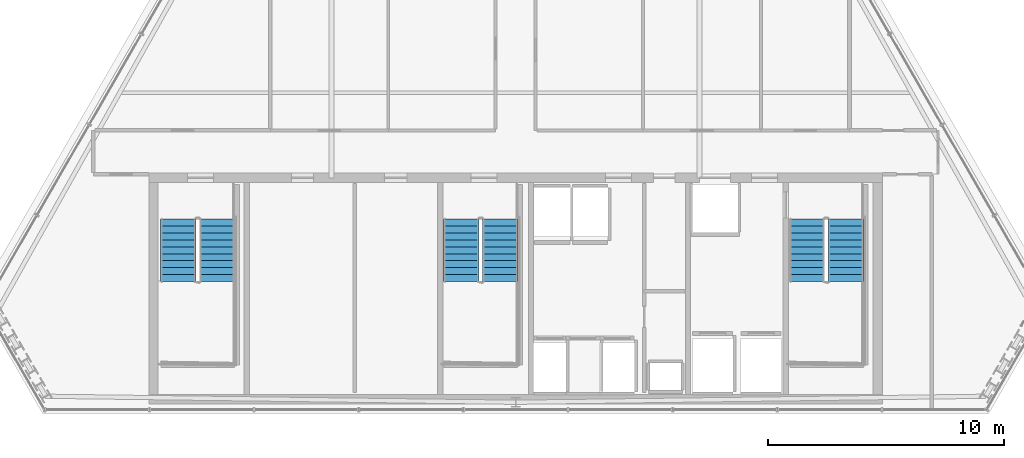
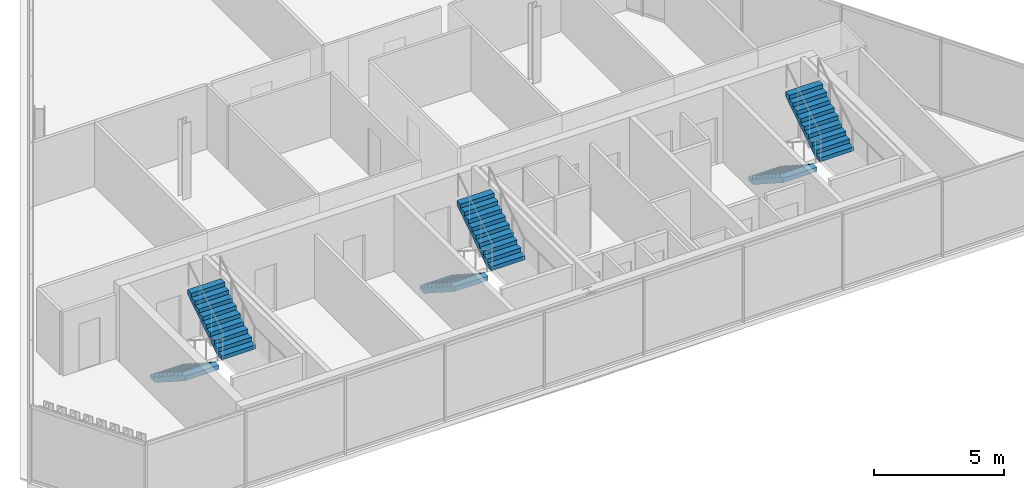
# One storey, part 32 of 35: 6 stair flights, 3 elements without a shape of their own.
"""IFC4 building model written with IfcOpenShell, lengths in metres."""

from ifc_helpers import new_model, si_unit, direction, frame, origin, place, context, subcontext, project, spatial, polyline, outline, extrude, material, type_object, element, aggregate, save


model = new_model("IFC4")

# Units and contexts
model_context = context("Model", 3, precision=1e-05, world=origin(), true_north=direction((0.0, 1.0)))
body_context = subcontext(model_context, "Body", "Model", "MODEL_VIEW")
ifc_project = project(units=[si_unit("LENGTHUNIT", "METRE"), si_unit("AREAUNIT", "SQUARE_METRE"), si_unit("VOLUMEUNIT", "CUBIC_METRE"), si_unit("PLANEANGLEUNIT", "RADIAN"), si_unit("MASSUNIT", "GRAM", prefix="KILO")], contexts=[model_context])

# Site, building, storey
site_placement = place(None, origin())
site = spatial("IfcSite", under=ifc_project, at=site_placement, CompositionType="ELEMENT")
building_placement = place(site_placement, origin())
building = spatial("IfcBuilding", under=site, at=building_placement, Name="Ndaravel Arena Tower", CompositionType="ELEMENT")
storey_placement = place(building_placement, frame((0.0, 0.0, 271.199951171875)))
storey = spatial("IfcBuildingStorey", under=building, at=storey_placement, Name="L66", CompositionType="ELEMENT", Elevation=271.199951171875)

# Stair, stair flights
ifc_material_1 = material(Name="Concrete C40/50", Category="concrete")
stair_type = type_object("IfcStairType", Name="STAIR-CORE-HT", PredefinedType="HALF_TURN_STAIR", material=ifc_material_1)
stair_1_placement = place(storey_placement, origin())
stair_1 = element("IfcStair", 1, at=stair_1_placement, inside=storey, type_object=stair_type, Name="L66 ST-1", PredefinedType="HALF_TURN_STAIR")
ifc_material_2 = material(Name="Concrete C40/50", Category="concrete")
stair_flight_type = type_object("IfcStairFlightType", Name="SFLIGHT-CORE-1680", PredefinedType="STRAIGHT", material=ifc_material_2)
stair_flight_1_placement = place(storey_placement, frame((27.699951171875, 13.25, 0.0), z_axis=(0.0, 0.0, 1.0), x_axis=(0.0, -1.0, 0.0)))
stair_flight_1 = element("IfcStairFlight", 2, at=stair_flight_1_placement, type_object=stair_flight_type, Name="ST-1 flight 1", NumberOfRisers=10, NumberOfTreads=9, PredefinedType="STRAIGHT", RiserHeight=0.19, TreadLength=0.295, context=body_context, shape_type="SweptSolid", body=[
    extrude(outline(polyline([(0.0, 0.0), (0.0, 0.18994140625), (0.294921875, 0.18994140625), (0.294921875, 0.3798828125), (0.590087890625, 0.3798828125), (0.590087890625, 0.570068359375), (0.885009765625, 0.570068359375), (0.885009765625, 0.760009765625), (1.179931640625, 0.760009765625), (1.179931640625, 0.949951171875), (1.47509765625, 0.949951171875), (1.47509765625, 1.139892578125), (1.77001953125, 1.139892578125), (1.77001953125, 1.330078125), (2.06494140625, 1.330078125), (2.06494140625, 1.52001953125), (2.360107421875, 1.52001953125), (2.360107421875, 1.7099609375), (2.655029296875, 1.7099609375), (2.655029296875, 1.89990234375), (2.655029296875, 1.49609375), (0.332275390625, 0.0), (0.0, 0.0)])), frame((0.0, 0.75, 0.0), z_axis=(0.0, -1.0, 0.0), x_axis=(1.0, 0.0, 0.0)), (0.0, 0.0, 1.0), 1.5),
])
stair_flight_2_placement = place(storey_placement, frame((29.340087890625, 10.594970703125, 1.900146484375), z_axis=(0.0, 0.0, 1.0), x_axis=(0.0, 1.0, 0.0)))
stair_flight_2 = element("IfcStairFlight", 3, at=stair_flight_2_placement, type_object=stair_flight_type, Name="ST-1 flight 2", NumberOfRisers=10, NumberOfTreads=9, PredefinedType="STRAIGHT", RiserHeight=0.19, TreadLength=0.295, context=body_context, shape_type="SweptSolid", body=[
    extrude(outline(polyline([(0.0, 0.0), (0.0, 0.18994140625), (0.294921875, 0.18994140625), (0.294921875, 0.3798828125), (0.590087890625, 0.3798828125), (0.590087890625, 0.570068359375), (0.885009765625, 0.570068359375), (0.885009765625, 0.760009765625), (1.179931640625, 0.760009765625), (1.179931640625, 0.949951171875), (1.47509765625, 0.949951171875), (1.47509765625, 1.139892578125), (1.77001953125, 1.139892578125), (1.77001953125, 1.330078125), (2.06494140625, 1.330078125), (2.06494140625, 1.52001953125), (2.360107421875, 1.52001953125), (2.360107421875, 1.7099609375), (2.655029296875, 1.7099609375), (2.655029296875, 1.89990234375), (2.655029296875, 1.49609375), (0.332275390625, 0.0), (0.0, 0.0)])), frame((0.0, 0.75, 0.0), z_axis=(0.0, -1.0, 0.0), x_axis=(1.0, 0.0, 0.0)), (0.0, 0.0, 1.0), 1.5),
])
aggregate(stair_1, [stair_flight_1, stair_flight_2])

stair_2_placement = place(storey_placement, origin())
stair_2 = element("IfcStair", 4, at=stair_2_placement, inside=storey, type_object=stair_type, Name="L66 ST-2", PredefinedType="HALF_TURN_STAIR")
stair_flight_3_placement = place(storey_placement, frame((39.699951171875, 13.25, 0.0), z_axis=(0.0, 0.0, 1.0), x_axis=(0.0, -1.0, 0.0)))
stair_flight_3 = element("IfcStairFlight", 5, at=stair_flight_3_placement, type_object=stair_flight_type, Name="ST-2 flight 1", NumberOfRisers=10, NumberOfTreads=9, PredefinedType="STRAIGHT", RiserHeight=0.19, TreadLength=0.295, context=body_context, shape_type="SweptSolid", body=[
    extrude(outline(polyline([(0.0, 0.0), (0.0, 0.18994140625), (0.294921875, 0.18994140625), (0.294921875, 0.3798828125), (0.590087890625, 0.3798828125), (0.590087890625, 0.570068359375), (0.885009765625, 0.570068359375), (0.885009765625, 0.760009765625), (1.179931640625, 0.760009765625), (1.179931640625, 0.949951171875), (1.47509765625, 0.949951171875), (1.47509765625, 1.139892578125), (1.77001953125, 1.139892578125), (1.77001953125, 1.330078125), (2.06494140625, 1.330078125), (2.06494140625, 1.52001953125), (2.360107421875, 1.52001953125), (2.360107421875, 1.7099609375), (2.655029296875, 1.7099609375), (2.655029296875, 1.89990234375), (2.655029296875, 1.49609375), (0.332275390625, 0.0), (0.0, 0.0)])), frame((0.0, 0.75, 0.0), z_axis=(0.0, -1.0, 0.0), x_axis=(1.0, 0.0, 0.0)), (0.0, 0.0, 1.0), 1.5),
])
stair_flight_4_placement = place(storey_placement, frame((41.340087890625, 10.594970703125, 1.900146484375), z_axis=(0.0, 0.0, 1.0), x_axis=(0.0, 1.0, 0.0)))
stair_flight_4 = element("IfcStairFlight", 6, at=stair_flight_4_placement, type_object=stair_flight_type, Name="ST-2 flight 2", NumberOfRisers=10, NumberOfTreads=9, PredefinedType="STRAIGHT", RiserHeight=0.19, TreadLength=0.295, context=body_context, shape_type="SweptSolid", body=[
    extrude(outline(polyline([(0.0, 0.0), (0.0, 0.18994140625), (0.294921875, 0.18994140625), (0.294921875, 0.3798828125), (0.590087890625, 0.3798828125), (0.590087890625, 0.570068359375), (0.885009765625, 0.570068359375), (0.885009765625, 0.760009765625), (1.179931640625, 0.760009765625), (1.179931640625, 0.949951171875), (1.47509765625, 0.949951171875), (1.47509765625, 1.139892578125), (1.77001953125, 1.139892578125), (1.77001953125, 1.330078125), (2.06494140625, 1.330078125), (2.06494140625, 1.52001953125), (2.360107421875, 1.52001953125), (2.360107421875, 1.7099609375), (2.655029296875, 1.7099609375), (2.655029296875, 1.89990234375), (2.655029296875, 1.49609375), (0.332275390625, 0.0), (0.0, 0.0)])), frame((0.0, 0.75, 0.0), z_axis=(0.0, -1.0, 0.0), x_axis=(1.0, 0.0, 0.0)), (0.0, 0.0, 1.0), 1.5),
])
aggregate(stair_2, [stair_flight_3, stair_flight_4])

stair_3_placement = place(storey_placement, origin())
stair_3 = element("IfcStair", 7, at=stair_3_placement, inside=storey, type_object=stair_type, Name="L66 ST-3", PredefinedType="HALF_TURN_STAIR")
stair_flight_5_placement = place(storey_placement, frame((54.35009765625, 13.25, 0.0), z_axis=(0.0, 0.0, 1.0), x_axis=(0.0, -1.0, 0.0)))
stair_flight_5 = element("IfcStairFlight", 8, at=stair_flight_5_placement, type_object=stair_flight_type, Name="ST-3 flight 1", NumberOfRisers=10, NumberOfTreads=9, PredefinedType="STRAIGHT", RiserHeight=0.19, TreadLength=0.295, context=body_context, shape_type="SweptSolid", body=[
    extrude(outline(polyline([(0.0, 0.0), (0.0, 0.18994140625), (0.294921875, 0.18994140625), (0.294921875, 0.3798828125), (0.590087890625, 0.3798828125), (0.590087890625, 0.570068359375), (0.885009765625, 0.570068359375), (0.885009765625, 0.760009765625), (1.179931640625, 0.760009765625), (1.179931640625, 0.949951171875), (1.47509765625, 0.949951171875), (1.47509765625, 1.139892578125), (1.77001953125, 1.139892578125), (1.77001953125, 1.330078125), (2.06494140625, 1.330078125), (2.06494140625, 1.52001953125), (2.360107421875, 1.52001953125), (2.360107421875, 1.7099609375), (2.655029296875, 1.7099609375), (2.655029296875, 1.89990234375), (2.655029296875, 1.49609375), (0.332275390625, 0.0), (0.0, 0.0)])), frame((0.0, 0.75, 0.0), z_axis=(0.0, -1.0, 0.0), x_axis=(1.0, 0.0, 0.0)), (0.0, 0.0, 1.0), 1.5),
])
stair_flight_6_placement = place(storey_placement, frame((55.989990234375, 10.594970703125, 1.900146484375), z_axis=(0.0, 0.0, 1.0), x_axis=(0.0, 1.0, 0.0)))
stair_flight_6 = element("IfcStairFlight", 9, at=stair_flight_6_placement, type_object=stair_flight_type, Name="ST-3 flight 2", NumberOfRisers=10, NumberOfTreads=9, PredefinedType="STRAIGHT", RiserHeight=0.19, TreadLength=0.295, context=body_context, shape_type="SweptSolid", body=[
    extrude(outline(polyline([(0.0, 0.0), (0.0, 0.18994140625), (0.294921875, 0.18994140625), (0.294921875, 0.3798828125), (0.590087890625, 0.3798828125), (0.590087890625, 0.570068359375), (0.885009765625, 0.570068359375), (0.885009765625, 0.760009765625), (1.179931640625, 0.760009765625), (1.179931640625, 0.949951171875), (1.47509765625, 0.949951171875), (1.47509765625, 1.139892578125), (1.77001953125, 1.139892578125), (1.77001953125, 1.330078125), (2.06494140625, 1.330078125), (2.06494140625, 1.52001953125), (2.360107421875, 1.52001953125), (2.360107421875, 1.7099609375), (2.655029296875, 1.7099609375), (2.655029296875, 1.89990234375), (2.655029296875, 1.49609375), (0.332275390625, 0.0), (0.0, 0.0)])), frame((0.0, 0.75, 0.0), z_axis=(0.0, -1.0, 0.0), x_axis=(1.0, 0.0, 0.0)), (0.0, 0.0, 1.0), 1.5),
])
aggregate(stair_3, [stair_flight_5, stair_flight_6])

save(model, "model.ifc")
